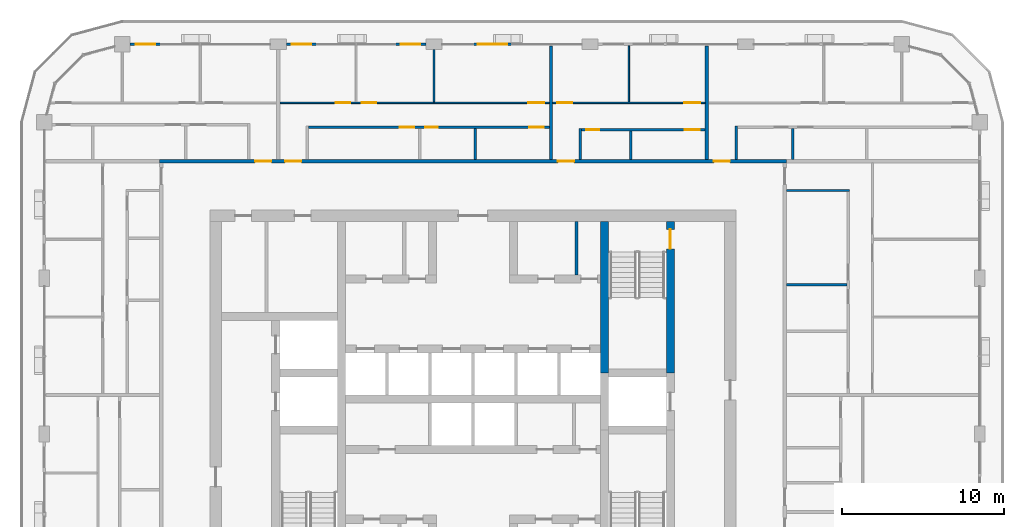
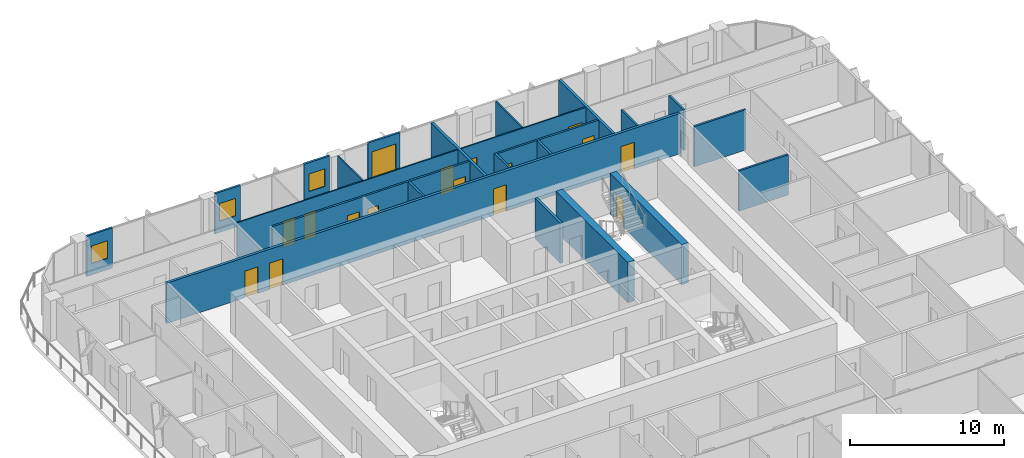
# One storey, part 14 of 22: 23 walls, 16 doors, 3 windows, 19 openings.
"""IFC4 building model written with IfcOpenShell, lengths in metres."""

from ifc_helpers import new_model, si_unit, direction, frame, frame_2d, origin, place, context, subcontext, project, spatial, rectangle, extrude, material, layer, layer_set, type_object, element, fill, save


model = new_model("IFC4")

# Units and contexts
model_context = context("Model", 3, precision=1e-05, world=origin(), true_north=direction((0.0, 1.0)))
body_context = subcontext(model_context, "Body", "Model", "MODEL_VIEW")
ifc_project = project(units=[si_unit("LENGTHUNIT", "METRE"), si_unit("AREAUNIT", "SQUARE_METRE"), si_unit("VOLUMEUNIT", "CUBIC_METRE"), si_unit("PLANEANGLEUNIT", "RADIAN"), si_unit("MASSUNIT", "GRAM", prefix="KILO")], contexts=[model_context])

# Site, building, storey
site_placement = place(None, origin())
site = spatial("IfcSite", under=ifc_project, at=site_placement, CompositionType="ELEMENT")
building_placement = place(site_placement, origin())
building = spatial("IfcBuilding", under=site, at=building_placement, Name="Madar Terraces", CompositionType="ELEMENT")
storey_placement = place(building_placement, frame((0.0, 0.0, 192.89990234375)))
storey = spatial("IfcBuildingStorey", under=building, at=storey_placement, Name="L50", CompositionType="ELEMENT", Elevation=192.89990234375)

# Wall
ifc_material_1 = material(Name="Concrete C60/75", Category="concrete")
ifc_layer_1 = layer(ifc_material_1, 0.5)
ifc_layer_set_1 = layer_set([ifc_layer_1], Name="Concrete C60/75 (CIW4 RC wall 500)")
wall_type_1 = type_object("IfcWallType", Name="CIW4 RC wall 500", PredefinedType="SHEAR", material=ifc_layer_set_1)
wall_1_placement = place(storey_placement, frame((39.300048828125, 27.75, 0.0), z_axis=(0.0, 0.0, 1.0), x_axis=(0.0, 1.0, 0.0)))
element("IfcWall", 1, at=wall_1_placement, inside=storey, type_object=wall_type_1, Name="CORE SHAFT WALL", PredefinedType="SHEAR", context=body_context, shape_type="SweptSolid", body=[
    extrude(rectangle(XDim=9.35009765625, YDim=0.5, at=frame_2d((4.675048828125, 0.0))), origin(), (0.0, 0.0, 1.0), 3.2001953125),
])

# Wall, opening, door
wall_2_placement = place(storey_placement, frame((43.35009765625, 27.75, 0.0), z_axis=(0.0, 0.0, 1.0), x_axis=(0.0, 1.0, 0.0)))
wall_2 = element("IfcWall", 2, at=wall_2_placement, inside=storey, type_object=wall_type_1, Name="CORE SHAFT WALL", PredefinedType="SHEAR", context=body_context, shape_type="SweptSolid", body=[
    extrude(rectangle(XDim=9.35009765625, YDim=0.5, at=frame_2d((4.675048828125, 0.0))), origin(), (0.0, 0.0, 1.0), 3.2001953125),
])
opening_1_placement = place(wall_2_placement, frame((7.64990234375, 0.0, 0.0)))
opening_1 = element("IfcOpeningElement", 3, at=opening_1_placement, cuts=wall_2, Name="Opening SD1", PredefinedType="OPENING", context=body_context, shape_type="SweptSolid", body=[
    extrude(rectangle(XDim=1.199951171875, YDim=2.10009765625, at=frame_2d((0.60009765625, 1.050048828125))), frame((0.0, 0.260009765625, 0.0), z_axis=(0.0, -1.0, 0.0), x_axis=(1.0, 0.0, 0.0)), (0.0, 0.0, 1.0), 0.52001953125),
])
ifc_material_2 = material(Name="Steel door leaf", Category="steel")
door_type_1 = type_object("IfcDoorType", Name="Stair door 1200 x 2100", OperationType="NOTDEFINED", PredefinedType="DOOR", material=ifc_material_2)
door_1_placement = place(opening_1_placement, origin())
door_1 = element("IfcDoor", 4, at=door_1_placement, inside=storey, type_object=door_type_1, Name="STAIR DOOR", OperationType="SINGLE_SWING_RIGHT", OverallHeight=2.10009765625, OverallWidth=1.199951171875, PredefinedType="DOOR", context=body_context, shape_type="SweptSolid", body=[
    extrude(rectangle(XDim=1.199951171875, YDim=2.10009765625, at=frame_2d((0.60009765625, 1.050048828125))), frame((0.0, 0.02490234375, 0.0), z_axis=(0.0, -1.0, 0.0), x_axis=(1.0, 0.0, 0.0)), (0.0, 0.0, 1.0), 0.050048828125),
])
fill(opening_1, door_1)

# Wall
ifc_material_3 = material(Name="Masonry blockwork", Category="masonry")
ifc_layer_2 = layer(ifc_material_3, 0.199951171875)
ifc_layer_set_2 = layer_set([ifc_layer_2], Name="Core partition 200 blockwork")
wall_type_2 = type_object("IfcWallType", Name="Core partition 200 blockwork", PredefinedType="PARTITIONING", material=ifc_layer_set_2)
wall_3_placement = place(storey_placement, frame((37.571044921875, 33.800048828125, 0.0), z_axis=(0.0, 0.0, 1.0), x_axis=(0.0, 1.0, 0.0)))
element("IfcWall", 5, at=wall_3_placement, inside=storey, type_object=wall_type_2, Name="SERVICE ROOM PARTITION", PredefinedType="PARTITIONING", context=body_context, shape_type="SweptSolid", body=[
    extrude(rectangle(XDim=3.300048828125, YDim=0.199951171875, at=frame_2d((1.64990234375, 0.0))), origin(), (0.0, 0.0, 1.0), 3.2001953125),
])

# Wall, opening, door
ifc_material_4 = material(Name="Aluminium composite panel, black, over insulated backing", Category="aluminium")
ifc_layer_3 = layer(ifc_material_4, 0.14990234375)
ifc_layer_set_3 = layer_set([ifc_layer_3], Name="Facade bay panel 150")
wall_type_3 = type_object("IfcWallType", Name="Facade bay panel 150", PredefinedType="SOLIDWALL", material=ifc_layer_set_3)
wall_4_placement = place(storey_placement, frame((33.60009765625, 48.0, 0.0), z_axis=(0.0, 0.0, 1.0), x_axis=(-1.0, 0.0, 0.0)))
wall_4 = element("IfcWall", 6, at=wall_4_placement, inside=storey, type_object=wall_type_3, Name="Facade bay panel", PredefinedType="SOLIDWALL", context=body_context, shape_type="SweptSolid", body=[
    extrude(rectangle(XDim=2.400146484375, YDim=0.14990234375, at=frame_2d((1.2001953125, 0.0))), origin(), (0.0, 0.0, 1.0), 3.2001953125),
])
opening_2_placement = place(wall_4_placement, frame((0.300048828125, 0.0, 0.0)))
opening_2 = element("IfcOpeningElement", 7, at=opening_2_placement, cuts=wall_4, Name="Opening ED1", PredefinedType="OPENING", context=body_context, shape_type="SweptSolid", body=[
    extrude(rectangle(XDim=1.800048828125, YDim=2.39990234375, at=frame_2d((0.89990234375, 1.199951171875))), frame((0.0, 0.0849609375, 0.0), z_axis=(0.0, -1.0, 0.0), x_axis=(1.0, 0.0, 0.0)), (0.0, 0.0, 1.0), 0.169921875),
])
ifc_material_5 = material(Name="Glass, clear, with black aluminium frame", Category="aluminium")
door_type_2 = type_object("IfcDoorType", Name="Balcony and terrace sliding door 1800 x 2400", OperationType="SLIDING_TO_LEFT", PredefinedType="DOOR", material=ifc_material_5)
door_2_placement = place(opening_2_placement, origin())
door_2 = element("IfcDoor", 8, at=door_2_placement, inside=storey, type_object=door_type_2, Name="Balcony door", OperationType="SLIDING_TO_LEFT", OverallHeight=2.39990234375, OverallWidth=1.800048828125, PredefinedType="DOOR", context=body_context, shape_type="SweptSolid", body=[
    extrude(rectangle(XDim=1.800048828125, YDim=2.39990234375, at=frame_2d((0.89990234375, 1.199951171875))), frame((0.0, 0.02490234375, 0.0), z_axis=(0.0, -1.0, 0.0), x_axis=(1.0, 0.0, 0.0)), (0.0, 0.0, 1.0), 0.050048828125),
])
fill(opening_2, door_2)

# Wall, opening, window
wall_5_placement = place(storey_placement, frame((28.300048828125, 48.0, 0.0), z_axis=(0.0, 0.0, 1.0), x_axis=(-1.0, 0.0, 0.0)))
wall_5 = element("IfcWall", 9, at=wall_5_placement, inside=storey, type_object=wall_type_3, Name="Facade bay panel", PredefinedType="SOLIDWALL", context=body_context, shape_type="SweptSolid", body=[
    extrude(rectangle(XDim=1.900146484375, YDim=0.14990234375, at=frame_2d((0.9501953125, 0.0))), origin(), (0.0, 0.0, 1.0), 3.2001953125),
])
opening_3_placement = place(wall_5_placement, frame((0.35009765625, 0.0, 0.89990234375)))
opening_3 = element("IfcOpeningElement", 10, at=opening_3_placement, cuts=wall_5, Name="Opening W1", PredefinedType="OPENING", context=body_context, shape_type="SweptSolid", body=[
    extrude(rectangle(XDim=1.199951171875, YDim=1.39990234375, at=frame_2d((0.60009765625, 0.699951171875))), frame((0.0, 0.0849609375, 0.0), z_axis=(0.0, -1.0, 0.0), x_axis=(1.0, 0.0, 0.0)), (0.0, 0.0, 1.0), 0.169921875),
])
ifc_material_6 = material(Name="Glass, clear, with black aluminium frame", Category="aluminium")
window_type = type_object("IfcWindowType", Name="Vent window 1200 x 1400", PartitioningType="SINGLE_PANEL", PredefinedType="WINDOW", material=ifc_material_6)
window_1_placement = place(opening_3_placement, origin())
window_1 = element("IfcWindow", 11, at=window_1_placement, inside=storey, type_object=window_type, Name="Operable vent window", OverallHeight=1.39990234375, OverallWidth=1.199951171875, PartitioningType="SINGLE_PANEL", PredefinedType="WINDOW", context=body_context, shape_type="SweptSolid", body=[
    extrude(rectangle(XDim=1.199951171875, YDim=1.39990234375, at=frame_2d((0.60009765625, 0.699951171875))), frame((0.0, 0.030029296875, 0.0), z_axis=(0.0, -1.0, 0.0), x_axis=(1.0, 0.0, 0.0)), (0.0, 0.0, 1.0), 0.06005859375),
])
fill(opening_3, window_1)

wall_6_placement = place(storey_placement, frame((21.60009765625, 48.0, 0.0), z_axis=(0.0, 0.0, 1.0), x_axis=(-1.0, 0.0, 0.0)))
wall_6 = element("IfcWall", 12, at=wall_6_placement, inside=storey, type_object=wall_type_3, Name="Facade bay panel", PredefinedType="SOLIDWALL", context=body_context, shape_type="SweptSolid", body=[
    extrude(rectangle(XDim=1.900146484375, YDim=0.14990234375, at=frame_2d((0.9501953125, 0.0))), origin(), (0.0, 0.0, 1.0), 3.2001953125),
])
opening_4_placement = place(wall_6_placement, frame((0.35009765625, 0.0, 0.89990234375)))
opening_4 = element("IfcOpeningElement", 13, at=opening_4_placement, cuts=wall_6, Name="Opening W1", PredefinedType="OPENING", context=body_context, shape_type="SweptSolid", body=[
    extrude(rectangle(XDim=1.199951171875, YDim=1.39990234375, at=frame_2d((0.60009765625, 0.699951171875))), frame((0.0, 0.0849609375, 0.0), z_axis=(0.0, -1.0, 0.0), x_axis=(1.0, 0.0, 0.0)), (0.0, 0.0, 1.0), 0.169921875),
])
window_2_placement = place(opening_4_placement, origin())
window_2 = element("IfcWindow", 14, at=window_2_placement, inside=storey, type_object=window_type, Name="Operable vent window", OverallHeight=1.39990234375, OverallWidth=1.199951171875, PartitioningType="SINGLE_PANEL", PredefinedType="WINDOW", context=body_context, shape_type="SweptSolid", body=[
    extrude(rectangle(XDim=1.199951171875, YDim=1.39990234375, at=frame_2d((0.60009765625, 0.699951171875))), frame((0.0, 0.030029296875, 0.0), z_axis=(0.0, -1.0, 0.0), x_axis=(1.0, 0.0, 0.0)), (0.0, 0.0, 1.0), 0.06005859375),
])
fill(opening_4, window_2)

wall_7_placement = place(storey_placement, frame((12.0, 48.0, 0.0), z_axis=(0.0, 0.0, 1.0), x_axis=(-1.0, 0.0, 0.0)))
wall_7 = element("IfcWall", 15, at=wall_7_placement, inside=storey, type_object=wall_type_3, Name="Facade bay panel", PredefinedType="SOLIDWALL", context=body_context, shape_type="SweptSolid", body=[
    extrude(rectangle(XDim=1.925048828125, YDim=0.14990234375, at=frame_2d((0.96240234375, 0.0))), origin(), (0.0, 0.0, 1.0), 3.2001953125),
])
opening_5_placement = place(wall_7_placement, frame((0.362548828125, 0.0, 0.89990234375)))
opening_5 = element("IfcOpeningElement", 16, at=opening_5_placement, cuts=wall_7, Name="Opening W1", PredefinedType="OPENING", context=body_context, shape_type="SweptSolid", body=[
    extrude(rectangle(XDim=1.199951171875, YDim=1.39990234375, at=frame_2d((0.60009765625, 0.699951171875))), frame((0.0, 0.0849609375, 0.0), z_axis=(0.0, -1.0, 0.0), x_axis=(1.0, 0.0, 0.0)), (0.0, 0.0, 1.0), 0.169921875),
])
window_3_placement = place(opening_5_placement, origin())
window_3 = element("IfcWindow", 17, at=window_3_placement, inside=storey, type_object=window_type, Name="Operable vent window", OverallHeight=1.39990234375, OverallWidth=1.199951171875, PartitioningType="SINGLE_PANEL", PredefinedType="WINDOW", context=body_context, shape_type="SweptSolid", body=[
    extrude(rectangle(XDim=1.199951171875, YDim=1.39990234375, at=frame_2d((0.60009765625, 0.699951171875))), frame((0.0, 0.030029296875, 0.0), z_axis=(0.0, -1.0, 0.0), x_axis=(1.0, 0.0, 0.0)), (0.0, 0.0, 1.0), 0.06005859375),
])
fill(opening_5, window_3)

# Wall
ifc_material_7 = material(Name="Gypsum board on steel studs", Category="steel")
ifc_layer_4 = layer(ifc_material_7, 0.10009765625)
ifc_layer_set_4 = layer_set([ifc_layer_4], Name="Flat partition 100")
wall_type_4 = type_object("IfcWallType", Name="Flat partition 100", PredefinedType="PARTITIONING", material=ifc_layer_set_4)
wall_8_placement = place(storey_placement, frame((40.800048828125, 44.449951171875, 0.0), z_axis=(0.0, 0.0, 1.0), x_axis=(0.0, 1.0, 0.0)))
element("IfcWall", 18, at=wall_8_placement, inside=storey, type_object=wall_type_4, Name="Flat partition 100", PredefinedType="PARTITIONING", context=body_context, shape_type="SweptSolid", body=[
    extrude(rectangle(XDim=3.449951171875, YDim=0.10009765625, at=frame_2d((1.72509765625, 0.0))), origin(), (0.0, 0.0, 1.0), 3.2001953125),
])

# Wall, openings, doors
wall_9_placement = place(storey_placement, frame((36.10009765625, 44.39990234375, 0.0), z_axis=(0.0, 0.0, 1.0), x_axis=(1.0, 0.0, 0.0)))
wall_9 = element("IfcWall", 19, at=wall_9_placement, inside=storey, type_object=wall_type_4, Name="Flat partition 100", PredefinedType="PARTITIONING", context=body_context, shape_type="SweptSolid", body=[
    extrude(rectangle(XDim=9.39990234375, YDim=0.10009765625, at=frame_2d((4.699951171875, 0.0))), origin(), (0.0, 0.0, 1.0), 3.2001953125),
])
opening_6_placement = place(wall_9_placement, frame((0.300048828125, 0.0, 0.0)))
opening_6 = element("IfcOpeningElement", 20, at=opening_6_placement, cuts=wall_9, Name="Opening D2", PredefinedType="OPENING", context=body_context, shape_type="SweptSolid", body=[
    extrude(rectangle(XDim=0.89990234375, YDim=2.10009765625, at=frame_2d((0.449951171875, 1.050048828125))), frame((0.0, 0.06005859375, 0.0), z_axis=(0.0, -1.0, 0.0), x_axis=(1.0, 0.0, 0.0)), (0.0, 0.0, 1.0), 0.1201171875),
])
opening_7_placement = place(wall_9_placement, frame((8.10009765625, 0.0, 0.0)))
opening_7 = element("IfcOpeningElement", 21, at=opening_7_placement, cuts=wall_9, Name="Opening D3", PredefinedType="OPENING", context=body_context, shape_type="SweptSolid", body=[
    extrude(rectangle(XDim=1.0, YDim=2.10009765625, at=frame_2d((0.5, 1.050048828125))), frame((0.0, 0.06005859375, 0.0), z_axis=(0.0, -1.0, 0.0), x_axis=(1.0, 0.0, 0.0)), (0.0, 0.0, 1.0), 0.1201171875),
])
ifc_material_8 = material(Name="Timber door leaf", Category="wood")
door_type_3 = type_object("IfcDoorType", Name="Flat living room door 1000", OperationType="NOTDEFINED", PredefinedType="DOOR", material=ifc_material_8)
door_3_placement = place(opening_7_placement, origin())
door_3 = element("IfcDoor", 22, at=door_3_placement, inside=storey, type_object=door_type_3, Name="Flat living room door 1000", OperationType="SINGLE_SWING_RIGHT", OverallHeight=2.10009765625, OverallWidth=1.0, PredefinedType="DOOR", context=body_context, shape_type="SweptSolid", body=[
    extrude(rectangle(XDim=1.0, YDim=2.10009765625, at=frame_2d((0.5, 1.050048828125))), frame((0.0, 0.02490234375, 0.0), z_axis=(0.0, -1.0, 0.0), x_axis=(1.0, 0.0, 0.0)), (0.0, 0.0, 1.0), 0.050048828125),
])
fill(opening_7, door_3)
ifc_material_9 = material(Name="Timber door leaf", Category="wood")
door_type_4 = type_object("IfcDoorType", Name="Flat room door 900", OperationType="NOTDEFINED", PredefinedType="DOOR", material=ifc_material_9)
door_4_placement = place(opening_6_placement, origin())
door_4 = element("IfcDoor", 23, at=door_4_placement, inside=storey, type_object=door_type_4, Name="Flat room door 900", OperationType="SINGLE_SWING_LEFT", OverallHeight=2.10009765625, OverallWidth=0.89990234375, PredefinedType="DOOR", context=body_context, shape_type="SweptSolid", body=[
    extrude(rectangle(XDim=0.89990234375, YDim=2.10009765625, at=frame_2d((0.449951171875, 1.050048828125))), frame((0.0, 0.02490234375, 0.0), z_axis=(0.0, -1.0, 0.0), x_axis=(1.0, 0.0, 0.0)), (0.0, 0.0, 1.0), 0.050048828125),
])
fill(opening_6, door_4)

# Wall
wall_10_placement = place(storey_placement, frame((28.800048828125, 44.449951171875, 0.0), z_axis=(0.0, 0.0, 1.0), x_axis=(0.0, 1.0, 0.0)))
element("IfcWall", 24, at=wall_10_placement, inside=storey, type_object=wall_type_4, Name="Flat partition 100", PredefinedType="PARTITIONING", context=body_context, shape_type="SweptSolid", body=[
    extrude(rectangle(XDim=3.22509765625, YDim=0.10009765625, at=frame_2d((1.612548828125, 0.0))), origin(), (0.0, 0.0, 1.0), 3.2001953125),
])

# Wall, openings, doors
wall_11_placement = place(storey_placement, frame((19.300048828125, 44.39990234375, 0.0), z_axis=(0.0, 0.0, 1.0), x_axis=(1.0, 0.0, 0.0)))
wall_11 = element("IfcWall", 25, at=wall_11_placement, inside=storey, type_object=wall_type_4, Name="Flat partition 100", PredefinedType="PARTITIONING", context=body_context, shape_type="SweptSolid", body=[
    extrude(rectangle(XDim=16.599853515625, YDim=0.10009765625, at=frame_2d((8.2998046875, 0.0))), origin(), (0.0, 0.0, 1.0), 3.2001953125),
])
opening_8_placement = place(wall_11_placement, frame((3.449951171875, 0.0, 0.0)))
opening_8 = element("IfcOpeningElement", 26, at=opening_8_placement, cuts=wall_11, Name="Opening D2", PredefinedType="OPENING", context=body_context, shape_type="SweptSolid", body=[
    extrude(rectangle(XDim=0.89990234375, YDim=2.10009765625, at=frame_2d((0.449951171875, 1.050048828125))), frame((0.0, 0.06005859375, 0.0), z_axis=(0.0, -1.0, 0.0), x_axis=(1.0, 0.0, 0.0)), (0.0, 0.0, 1.0), 0.1201171875),
])
opening_9_placement = place(wall_11_placement, frame((5.050048828125, 0.0, 0.0)))
opening_9 = element("IfcOpeningElement", 27, at=opening_9_placement, cuts=wall_11, Name="Opening D2", PredefinedType="OPENING", context=body_context, shape_type="SweptSolid", body=[
    extrude(rectangle(XDim=0.89990234375, YDim=2.10009765625, at=frame_2d((0.449951171875, 1.050048828125))), frame((0.0, 0.06005859375, 0.0), z_axis=(0.0, -1.0, 0.0), x_axis=(1.0, 0.0, 0.0)), (0.0, 0.0, 1.0), 0.1201171875),
])
opening_10_placement = place(wall_11_placement, frame((15.300048828125, 0.0, 0.0)))
opening_10 = element("IfcOpeningElement", 28, at=opening_10_placement, cuts=wall_11, Name="Opening D3", PredefinedType="OPENING", context=body_context, shape_type="SweptSolid", body=[
    extrude(rectangle(XDim=1.0, YDim=2.10009765625, at=frame_2d((0.5, 1.050048828125))), frame((0.0, 0.06005859375, 0.0), z_axis=(0.0, -1.0, 0.0), x_axis=(1.0, 0.0, 0.0)), (0.0, 0.0, 1.0), 0.1201171875),
])
door_5_placement = place(opening_10_placement, origin())
door_5 = element("IfcDoor", 29, at=door_5_placement, inside=storey, type_object=door_type_3, Name="Flat living room door 1000", OperationType="SINGLE_SWING_RIGHT", OverallHeight=2.10009765625, OverallWidth=1.0, PredefinedType="DOOR", context=body_context, shape_type="SweptSolid", body=[
    extrude(rectangle(XDim=1.0, YDim=2.10009765625, at=frame_2d((0.5, 1.050048828125))), frame((0.0, 0.02490234375, 0.0), z_axis=(0.0, -1.0, 0.0), x_axis=(1.0, 0.0, 0.0)), (0.0, 0.0, 1.0), 0.050048828125),
])
fill(opening_10, door_5)
door_6_placement = place(opening_8_placement, origin())
door_6 = element("IfcDoor", 30, at=door_6_placement, inside=storey, type_object=door_type_4, Name="Flat room door 900", OperationType="SINGLE_SWING_RIGHT", OverallHeight=2.10009765625, OverallWidth=0.89990234375, PredefinedType="DOOR", context=body_context, shape_type="SweptSolid", body=[
    extrude(rectangle(XDim=0.89990234375, YDim=2.10009765625, at=frame_2d((0.449951171875, 1.050048828125))), frame((0.0, 0.02490234375, 0.0), z_axis=(0.0, -1.0, 0.0), x_axis=(1.0, 0.0, 0.0)), (0.0, 0.0, 1.0), 0.050048828125),
])
fill(opening_8, door_6)
door_7_placement = place(opening_9_placement, origin())
door_7 = element("IfcDoor", 31, at=door_7_placement, inside=storey, type_object=door_type_4, Name="Flat room door 900", OperationType="SINGLE_SWING_LEFT", OverallHeight=2.10009765625, OverallWidth=0.89990234375, PredefinedType="DOOR", context=body_context, shape_type="SweptSolid", body=[
    extrude(rectangle(XDim=0.89990234375, YDim=2.10009765625, at=frame_2d((0.449951171875, 1.050048828125))), frame((0.0, 0.02490234375, 0.0), z_axis=(0.0, -1.0, 0.0), x_axis=(1.0, 0.0, 0.0)), (0.0, 0.0, 1.0), 0.050048828125),
])
fill(opening_9, door_7)

ifc_material_10 = material(Name="Lightweight blockwork", Category="masonry")
ifc_layer_5 = layer(ifc_material_10, 0.199951171875)
ifc_layer_set_5 = layer_set([ifc_layer_5], Name="Flat party and entrance wall 200")
wall_type_5 = type_object("IfcWallType", Name="Flat party and entrance wall 200", PredefinedType="PARTITIONING", material=ifc_layer_set_5)
wall_12_placement = place(storey_placement, frame((11.89990234375, 40.800048828125, 0.0), z_axis=(0.0, 0.0, 1.0), x_axis=(1.0, 0.0, 0.0)))
wall_12 = element("IfcWall", 32, at=wall_12_placement, inside=storey, type_object=wall_type_5, Name="Flat party and entrance wall 200", PredefinedType="PARTITIONING", context=body_context, shape_type="SweptSolid", body=[
    extrude(rectangle(XDim=38.60009765625, YDim=0.199951171875, at=frame_2d((19.300048828125, 0.0))), origin(), (0.0, 0.0, 1.0), 3.2001953125),
])
opening_11_placement = place(wall_12_placement, frame((34.125, 0.0, 0.0)))
opening_11 = element("IfcOpeningElement", 33, at=opening_11_placement, cuts=wall_12, Name="Opening D1", PredefinedType="OPENING", context=body_context, shape_type="SweptSolid", body=[
    extrude(rectangle(XDim=1.0, YDim=2.10009765625, at=frame_2d((0.5, 1.050048828125))), frame((0.0, 0.10986328125, 0.0), z_axis=(0.0, -1.0, 0.0), x_axis=(1.0, 0.0, 0.0)), (0.0, 0.0, 1.0), 0.219970703125),
])
opening_12_placement = place(wall_12_placement, frame((24.52490234375, 0.0, 0.0)))
opening_12 = element("IfcOpeningElement", 34, at=opening_12_placement, cuts=wall_12, Name="Opening D1", PredefinedType="OPENING", context=body_context, shape_type="SweptSolid", body=[
    extrude(rectangle(XDim=1.0, YDim=2.10009765625, at=frame_2d((0.5, 1.050048828125))), frame((0.0, 0.10986328125, 0.0), z_axis=(0.0, -1.0, 0.0), x_axis=(1.0, 0.0, 0.0)), (0.0, 0.0, 1.0), 0.219970703125),
])
opening_13_placement = place(wall_12_placement, frame((7.72509765625, 0.0, 0.0)))
opening_13 = element("IfcOpeningElement", 35, at=opening_13_placement, cuts=wall_12, Name="Opening D1", PredefinedType="OPENING", context=body_context, shape_type="SweptSolid", body=[
    extrude(rectangle(XDim=1.0, YDim=2.10009765625, at=frame_2d((0.5, 1.050048828125))), frame((0.0, 0.10986328125, 0.0), z_axis=(0.0, -1.0, 0.0), x_axis=(1.0, 0.0, 0.0)), (0.0, 0.0, 1.0), 0.219970703125),
])
opening_14_placement = place(wall_12_placement, frame((5.875, 0.0, 0.0)))
opening_14 = element("IfcOpeningElement", 36, at=opening_14_placement, cuts=wall_12, Name="Opening D1", PredefinedType="OPENING", context=body_context, shape_type="SweptSolid", body=[
    extrude(rectangle(XDim=1.0, YDim=2.10009765625, at=frame_2d((0.5, 1.050048828125))), frame((0.0, 0.10986328125, 0.0), z_axis=(0.0, -1.0, 0.0), x_axis=(1.0, 0.0, 0.0)), (0.0, 0.0, 1.0), 0.219970703125),
])
ifc_material_11 = material(Name="Timber fire door leaf", Category="wood")
door_type_5 = type_object("IfcDoorType", Name="Flat entrance door 1000 FD30S", OperationType="NOTDEFINED", PredefinedType="DOOR", material=ifc_material_11)
door_8_placement = place(opening_11_placement, origin())
door_8 = element("IfcDoor", 37, at=door_8_placement, inside=storey, type_object=door_type_5, Name="Flat entrance door 1000 FD30S", OperationType="SINGLE_SWING_LEFT", OverallHeight=2.10009765625, OverallWidth=1.0, PredefinedType="DOOR", context=body_context, shape_type="SweptSolid", body=[
    extrude(rectangle(XDim=1.0, YDim=2.10009765625, at=frame_2d((0.5, 1.050048828125))), frame((0.0, 0.02490234375, 0.0), z_axis=(0.0, -1.0, 0.0), x_axis=(1.0, 0.0, 0.0)), (0.0, 0.0, 1.0), 0.050048828125),
])
fill(opening_11, door_8)
door_9_placement = place(opening_12_placement, origin())
door_9 = element("IfcDoor", 38, at=door_9_placement, inside=storey, type_object=door_type_5, Name="Flat entrance door 1000 FD30S", OperationType="SINGLE_SWING_LEFT", OverallHeight=2.10009765625, OverallWidth=1.0, PredefinedType="DOOR", context=body_context, shape_type="SweptSolid", body=[
    extrude(rectangle(XDim=1.0, YDim=2.10009765625, at=frame_2d((0.5, 1.050048828125))), frame((0.0, 0.02490234375, 0.0), z_axis=(0.0, -1.0, 0.0), x_axis=(1.0, 0.0, 0.0)), (0.0, 0.0, 1.0), 0.050048828125),
])
fill(opening_12, door_9)
door_10_placement = place(opening_13_placement, origin())
door_10 = element("IfcDoor", 39, at=door_10_placement, inside=storey, type_object=door_type_5, Name="Flat entrance door 1000 FD30S", OperationType="SINGLE_SWING_LEFT", OverallHeight=2.10009765625, OverallWidth=1.0, PredefinedType="DOOR", context=body_context, shape_type="SweptSolid", body=[
    extrude(rectangle(XDim=1.0, YDim=2.10009765625, at=frame_2d((0.5, 1.050048828125))), frame((0.0, 0.02490234375, 0.0), z_axis=(0.0, -1.0, 0.0), x_axis=(1.0, 0.0, 0.0)), (0.0, 0.0, 1.0), 0.050048828125),
])
fill(opening_13, door_10)
door_11_placement = place(opening_14_placement, origin())
door_11 = element("IfcDoor", 40, at=door_11_placement, inside=storey, type_object=door_type_5, Name="Flat entrance door 1000 FD30S", OperationType="SINGLE_SWING_RIGHT", OverallHeight=2.10009765625, OverallWidth=1.0, PredefinedType="DOOR", context=body_context, shape_type="SweptSolid", body=[
    extrude(rectangle(XDim=1.0, YDim=2.10009765625, at=frame_2d((0.5, 1.050048828125))), frame((0.0, 0.02490234375, 0.0), z_axis=(0.0, -1.0, 0.0), x_axis=(1.0, 0.0, 0.0)), (0.0, 0.0, 1.0), 0.050048828125),
])
fill(opening_14, door_11)

# Walls
for number, where, z_axis, x_axis, name in (
    (41, (45.60009765625, 47.89990234375, 0.0), (0.0, 0.0, 1.0), (0.0, -1.0, 0.0), "Flat party and entrance wall 200"),
    (42, (36.0, 47.89990234375, 0.0), (0.0, 0.0, 1.0), (0.0, -1.0, 0.0), "Flat party and entrance wall 200"),
):
    element("IfcWall", number, at=place(storey_placement, frame(where, z_axis=z_axis, x_axis=x_axis)), inside=storey, type_object=wall_type_5, Name=name, PredefinedType="PARTITIONING", context=body_context, shape_type="SweptSolid", body=[
        extrude(rectangle(XDim=7.0, YDim=0.199951171875, at=frame_2d((3.5, 0.0))), origin(), (0.0, 0.0, 1.0), 3.2001953125),
    ])
ifc_material_12 = material(Name="Lightweight blockwork", Category="masonry")
ifc_layer_6 = layer(ifc_material_12, 0.14990234375)
ifc_layer_set_6 = layer_set([ifc_layer_6], Name="Flat wet-room partition 150")
wall_type_6 = type_object("IfcWallType", Name="Flat wet-room partition 150", PredefinedType="PARTITIONING", material=ifc_layer_set_6)
wall_13_placement = place(storey_placement, frame((50.5, 33.1904296875, 0.0), z_axis=(0.0, 0.0, 1.0), x_axis=(1.0, 0.0, 0.0)))
element("IfcWall", 43, at=wall_13_placement, inside=storey, type_object=wall_type_6, Name="Flat wet-room partition 150", PredefinedType="PARTITIONING", context=body_context, shape_type="SweptSolid", body=[
    extrude(rectangle(XDim=3.72509765625, YDim=0.14990234375, at=frame_2d((1.862548828125, 0.0))), origin(), (0.0, 0.0, 1.0), 3.2001953125),
])
wall_14_placement = place(storey_placement, frame((50.5, 39.0, 0.0), z_axis=(0.0, 0.0, 1.0), x_axis=(1.0, 0.0, 0.0)))
element("IfcWall", 44, at=wall_14_placement, inside=storey, type_object=wall_type_6, Name="Flat wet-room partition 150", PredefinedType="PARTITIONING", context=body_context, shape_type="SweptSolid", body=[
    extrude(rectangle(XDim=3.875, YDim=0.14990234375, at=frame_2d((1.9375, 0.0))), origin(), (0.0, 0.0, 1.0), 3.2001953125),
])
wall_15_placement = place(storey_placement, frame((50.896240234375, 40.89990234375, 0.0), z_axis=(0.0, 0.0, 1.0), x_axis=(0.0, 1.0, 0.0)))
element("IfcWall", 45, at=wall_15_placement, inside=storey, type_object=wall_type_6, Name="Flat wet-room partition 150", PredefinedType="PARTITIONING", context=body_context, shape_type="SweptSolid", body=[
    extrude(rectangle(XDim=1.925048828125, YDim=0.14990234375, at=frame_2d((0.96240234375, 0.0))), origin(), (0.0, 0.0, 1.0), 3.2001953125),
])
wall_16_placement = place(storey_placement, frame((47.39990234375, 40.89990234375, 0.0), z_axis=(0.0, 0.0, 1.0), x_axis=(0.0, 1.0, 0.0)))
element("IfcWall", 46, at=wall_16_placement, inside=storey, type_object=wall_type_6, Name="Flat wet-room partition 150", PredefinedType="PARTITIONING", context=body_context, shape_type="SweptSolid", body=[
    extrude(rectangle(XDim=2.0751953125, YDim=0.14990234375, at=frame_2d((1.03759765625, 0.0))), origin(), (0.0, 0.0, 1.0), 3.2001953125),
])
wall_17_placement = place(storey_placement, frame((40.925048828125, 40.89990234375, 0.0), z_axis=(0.0, 0.0, 1.0), x_axis=(0.0, 1.0, 0.0)))
element("IfcWall", 47, at=wall_17_placement, inside=storey, type_object=wall_type_6, Name="Flat wet-room partition 150", PredefinedType="PARTITIONING", context=body_context, shape_type="SweptSolid", body=[
    extrude(rectangle(XDim=1.775146484375, YDim=0.14990234375, at=frame_2d((0.8876953125, 0.0))), origin(), (0.0, 0.0, 1.0), 3.2001953125),
])
wall_18_placement = place(storey_placement, frame((37.800048828125, 40.89990234375, 0.0), z_axis=(0.0, 0.0, 1.0), x_axis=(0.0, 1.0, 0.0)))
element("IfcWall", 48, at=wall_18_placement, inside=storey, type_object=wall_type_6, Name="Flat wet-room partition 150", PredefinedType="PARTITIONING", context=body_context, shape_type="SweptSolid", body=[
    extrude(rectangle(XDim=1.925048828125, YDim=0.14990234375, at=frame_2d((0.96240234375, 0.0))), origin(), (0.0, 0.0, 1.0), 3.2001953125),
])

# Wall, openings, doors
wall_19_placement = place(storey_placement, frame((45.5, 42.75, 0.0), z_axis=(0.0, 0.0, 1.0), x_axis=(-1.0, 0.0, 0.0)))
wall_19 = element("IfcWall", 49, at=wall_19_placement, inside=storey, type_object=wall_type_6, Name="Flat wet-room partition 150", PredefinedType="PARTITIONING", context=body_context, shape_type="SweptSolid", body=[
    extrude(rectangle(XDim=7.625, YDim=0.14990234375, at=frame_2d((3.8125, 0.0))), origin(), (0.0, 0.0, 1.0), 3.2001953125),
])
opening_15_placement = place(wall_19_placement, frame((6.52490234375, 0.0, 0.0)))
opening_15 = element("IfcOpeningElement", 50, at=opening_15_placement, cuts=wall_19, Name="Opening D4", PredefinedType="OPENING", context=body_context, shape_type="SweptSolid", body=[
    extrude(rectangle(XDim=0.800048828125, YDim=2.10009765625, at=frame_2d((0.39990234375, 1.050048828125))), frame((0.0, 0.0849609375, 0.0), z_axis=(0.0, -1.0, 0.0), x_axis=(1.0, 0.0, 0.0)), (0.0, 0.0, 1.0), 0.169921875),
])
opening_16_placement = place(wall_19_placement, frame((0.35009765625, 0.0, 0.0)))
opening_16 = element("IfcOpeningElement", 51, at=opening_16_placement, cuts=wall_19, Name="Opening D2", PredefinedType="OPENING", context=body_context, shape_type="SweptSolid", body=[
    extrude(rectangle(XDim=0.89990234375, YDim=2.10009765625, at=frame_2d((0.449951171875, 1.050048828125))), frame((0.0, 0.0849609375, 0.0), z_axis=(0.0, -1.0, 0.0), x_axis=(1.0, 0.0, 0.0)), (0.0, 0.0, 1.0), 0.169921875),
])
ifc_material_13 = material(Name="Timber door leaf", Category="wood")
door_type_6 = type_object("IfcDoorType", Name="Flat bathroom door 800", OperationType="NOTDEFINED", PredefinedType="DOOR", material=ifc_material_13)
door_12_placement = place(opening_15_placement, origin())
door_12 = element("IfcDoor", 52, at=door_12_placement, inside=storey, type_object=door_type_6, Name="Flat bathroom door 800", OperationType="SINGLE_SWING_RIGHT", OverallHeight=2.10009765625, OverallWidth=0.800048828125, PredefinedType="DOOR", context=body_context, shape_type="SweptSolid", body=[
    extrude(rectangle(XDim=0.800048828125, YDim=2.10009765625, at=frame_2d((0.39990234375, 1.050048828125))), frame((0.0, 0.02490234375, 0.0), z_axis=(0.0, -1.0, 0.0), x_axis=(1.0, 0.0, 0.0)), (0.0, 0.0, 1.0), 0.050048828125),
])
fill(opening_15, door_12)
door_13_placement = place(opening_16_placement, origin())
door_13 = element("IfcDoor", 53, at=door_13_placement, inside=storey, type_object=door_type_4, Name="Flat room door 900", OperationType="SINGLE_SWING_LEFT", OverallHeight=2.10009765625, OverallWidth=0.89990234375, PredefinedType="DOOR", context=body_context, shape_type="SweptSolid", body=[
    extrude(rectangle(XDim=0.89990234375, YDim=2.10009765625, at=frame_2d((0.449951171875, 1.050048828125))), frame((0.0, 0.02490234375, 0.0), z_axis=(0.0, -1.0, 0.0), x_axis=(1.0, 0.0, 0.0)), (0.0, 0.0, 1.0), 0.050048828125),
])
fill(opening_16, door_13)

# Wall
wall_20_placement = place(storey_placement, frame((31.33837890625, 40.89990234375, 0.0), z_axis=(0.0, 0.0, 1.0), x_axis=(0.0, 1.0, 0.0)))
element("IfcWall", 54, at=wall_20_placement, inside=storey, type_object=wall_type_6, Name="Flat wet-room partition 150", PredefinedType="PARTITIONING", context=body_context, shape_type="SweptSolid", body=[
    extrude(rectangle(XDim=1.925048828125, YDim=0.14990234375, at=frame_2d((0.96240234375, 0.0))), origin(), (0.0, 0.0, 1.0), 3.2001953125),
])

# Wall, openings, doors
wall_21_placement = place(storey_placement, frame((35.89990234375, 42.89990234375, 0.0), z_axis=(0.0, 0.0, 1.0), x_axis=(-1.0, 0.0, 0.0)))
wall_21 = element("IfcWall", 55, at=wall_21_placement, inside=storey, type_object=wall_type_6, Name="Flat wet-room partition 150", PredefinedType="PARTITIONING", context=body_context, shape_type="SweptSolid", body=[
    extrude(rectangle(XDim=14.824951171875, YDim=0.14990234375, at=frame_2d((7.41259765625, 0.0))), origin(), (0.0, 0.0, 1.0), 3.2001953125),
])
opening_17_placement = place(wall_21_placement, frame((8.3076171875, 0.0, 0.0)))
opening_17 = element("IfcOpeningElement", 56, at=opening_17_placement, cuts=wall_21, Name="Opening D2", PredefinedType="OPENING", context=body_context, shape_type="SweptSolid", body=[
    extrude(rectangle(XDim=0.89990234375, YDim=2.10009765625, at=frame_2d((0.449951171875, 1.050048828125))), frame((0.0, 0.0849609375, 0.0), z_axis=(0.0, -1.0, 0.0), x_axis=(1.0, 0.0, 0.0)), (0.0, 0.0, 1.0), 0.169921875),
])
opening_18_placement = place(wall_21_placement, frame((6.857666015625, 0.0, 0.0)))
opening_18 = element("IfcOpeningElement", 57, at=opening_18_placement, cuts=wall_21, Name="Opening D4", PredefinedType="OPENING", context=body_context, shape_type="SweptSolid", body=[
    extrude(rectangle(XDim=0.800048828125, YDim=2.10009765625, at=frame_2d((0.39990234375, 1.050048828125))), frame((0.0, 0.0849609375, 0.0), z_axis=(0.0, -1.0, 0.0), x_axis=(1.0, 0.0, 0.0)), (0.0, 0.0, 1.0), 0.169921875),
])
opening_19_placement = place(wall_21_placement, frame((0.35009765625, 0.0, 0.0)))
opening_19 = element("IfcOpeningElement", 58, at=opening_19_placement, cuts=wall_21, Name="Opening D5", PredefinedType="OPENING", context=body_context, shape_type="SweptSolid", body=[
    extrude(rectangle(XDim=0.89990234375, YDim=2.10009765625, at=frame_2d((0.449951171875, 1.050048828125))), frame((0.0, 0.0849609375, 0.0), z_axis=(0.0, -1.0, 0.0), x_axis=(1.0, 0.0, 0.0)), (0.0, 0.0, 1.0), 0.169921875),
])
ifc_material_14 = material(Name="Timber door leaf", Category="wood")
door_type_7 = type_object("IfcDoorType", Name="Flat accessible bathroom door 900", OperationType="NOTDEFINED", PredefinedType="DOOR", material=ifc_material_14)
door_14_placement = place(opening_19_placement, origin())
door_14 = element("IfcDoor", 59, at=door_14_placement, inside=storey, type_object=door_type_7, Name="Flat accessible bathroom door 900", OperationType="SINGLE_SWING_LEFT", OverallHeight=2.10009765625, OverallWidth=0.89990234375, PredefinedType="DOOR", context=body_context, shape_type="SweptSolid", body=[
    extrude(rectangle(XDim=0.89990234375, YDim=2.10009765625, at=frame_2d((0.449951171875, 1.050048828125))), frame((0.0, 0.02490234375, 0.0), z_axis=(0.0, -1.0, 0.0), x_axis=(1.0, 0.0, 0.0)), (0.0, 0.0, 1.0), 0.050048828125),
])
fill(opening_19, door_14)
door_15_placement = place(opening_18_placement, origin())
door_15 = element("IfcDoor", 60, at=door_15_placement, inside=storey, type_object=door_type_6, Name="Flat bathroom door 800", OperationType="SINGLE_SWING_RIGHT", OverallHeight=2.10009765625, OverallWidth=0.800048828125, PredefinedType="DOOR", context=body_context, shape_type="SweptSolid", body=[
    extrude(rectangle(XDim=0.800048828125, YDim=2.10009765625, at=frame_2d((0.39990234375, 1.050048828125))), frame((0.0, 0.02490234375, 0.0), z_axis=(0.0, -1.0, 0.0), x_axis=(1.0, 0.0, 0.0)), (0.0, 0.0, 1.0), 0.050048828125),
])
fill(opening_18, door_15)
door_16_placement = place(opening_17_placement, origin())
door_16 = element("IfcDoor", 61, at=door_16_placement, inside=storey, type_object=door_type_4, Name="Flat room door 900", OperationType="SINGLE_SWING_LEFT", OverallHeight=2.10009765625, OverallWidth=0.89990234375, PredefinedType="DOOR", context=body_context, shape_type="SweptSolid", body=[
    extrude(rectangle(XDim=0.89990234375, YDim=2.10009765625, at=frame_2d((0.449951171875, 1.050048828125))), frame((0.0, 0.02490234375, 0.0), z_axis=(0.0, -1.0, 0.0), x_axis=(1.0, 0.0, 0.0)), (0.0, 0.0, 1.0), 0.050048828125),
])
fill(opening_17, door_16)

save(model, "model.ifc")
